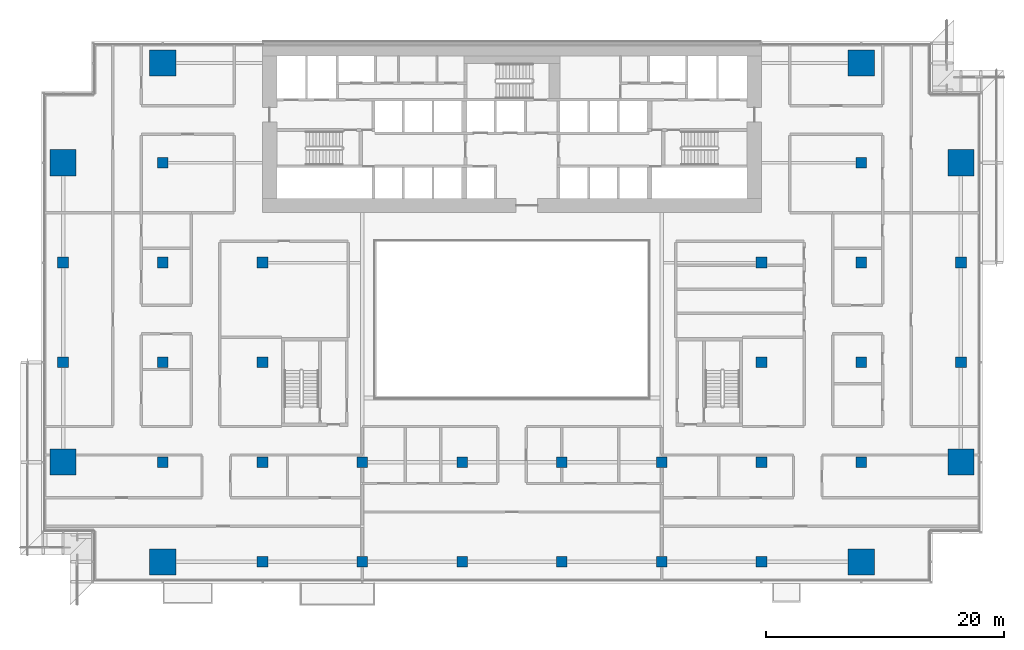
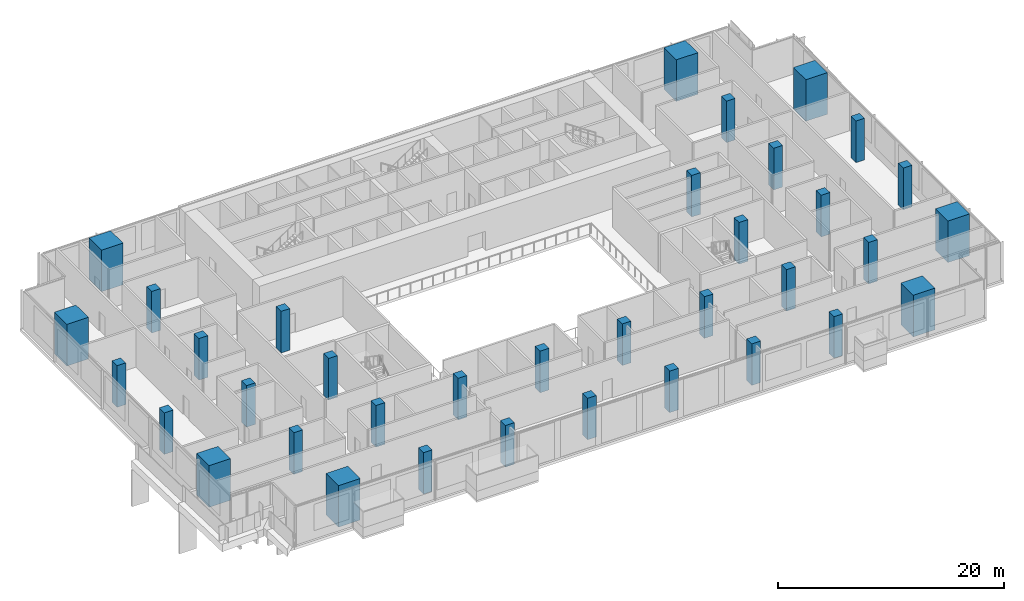
# One storey, part 1 of 23: 36 columns.
"""IFC4 building model written with IfcOpenShell, lengths in metres."""

from ifc_helpers import new_model, si_unit, direction, frame, origin, origin_2d, place, context, subcontext, project, spatial, rectangle, extrude, material, material_profile, profile_set, type_object, element, save


model = new_model("IFC4")

# Units and contexts
model_context = context("Model", 3, precision=1e-05, world=origin(), true_north=direction((0.0, 1.0)))
body_context = subcontext(model_context, "Body", "Model", "MODEL_VIEW")
ifc_project = project(units=[si_unit("LENGTHUNIT", "METRE"), si_unit("AREAUNIT", "SQUARE_METRE"), si_unit("VOLUMEUNIT", "CUBIC_METRE"), si_unit("PLANEANGLEUNIT", "RADIAN"), si_unit("MASSUNIT", "GRAM", prefix="KILO")], contexts=[model_context])

# Site, building, storey
site_placement = place(None, origin())
site = spatial("IfcSite", under=ifc_project, at=site_placement, CompositionType="ELEMENT")
building_placement = place(site_placement, origin())
building = spatial("IfcBuilding", under=site, at=building_placement, Name="Saffron Gate Tower", CompositionType="ELEMENT")
storey_placement = place(building_placement, frame((0.0, 0.0, 32.699951171875)))
storey = spatial("IfcBuildingStorey", under=building, at=storey_placement, Name="L06", CompositionType="ELEMENT", Elevation=32.699951171875)

# Columns
ifc_material_1 = material(Name="Concrete C60", Category="concrete")
ifc_material_profile_1 = material_profile(ifc_material_1, rectangle(XDim=0.89990234375, YDim=0.89990234375, at=origin_2d()))
ifc_profile_set_1 = profile_set([ifc_material_profile_1], Name="Concrete C60")
column_type_1 = type_object("IfcColumnType", Name="C6 RC 900x900 CONCRETE C60", PredefinedType="COLUMN", material=ifc_profile_set_1)
for number, where, z_axis, x_axis, name in (
    (1, (49.800048828125, 48.60009765625, 0.0), (0.0, 0.0, 1.0), (1.0, 0.0, 0.0), "C6 COLUMN X1-C"),
    (2, (49.800048828125, 57.0, 0.0), (0.0, 0.0, 1.0), (1.0, 0.0, 0.0), "C6 COLUMN X1-D"),
    (3, (58.199951171875, 40.199951171875, 0.0), (0.0, 0.0, 1.0), (1.0, 0.0, 0.0), "C6 COLUMN X2-B"),
    (4, (58.199951171875, 48.60009765625, 0.0), (0.0, 0.0, 1.0), (1.0, 0.0, 0.0), "C6 COLUMN X2-C"),
    (5, (58.199951171875, 57.0, 0.0), (0.0, 0.0, 1.0), (1.0, 0.0, 0.0), "C6 COLUMN X2-D"),
    (6, (58.199951171875, 65.39990234375, 0.0), (0.0, 0.0, 1.0), (1.0, 0.0, 0.0), "C6 COLUMN X2-E"),
    (7, (66.60009765625, 31.800048828125, 0.0), (0.0, 0.0, 1.0), (1.0, 0.0, 0.0), "C6 COLUMN X3-A"),
    (8, (66.60009765625, 40.199951171875, 0.0), (0.0, 0.0, 1.0), (1.0, 0.0, 0.0), "C6 COLUMN X3-B"),
    (9, (66.60009765625, 48.60009765625, 0.0), (0.0, 0.0, 1.0), (1.0, 0.0, 0.0), "C6 COLUMN X3-C"),
    (10, (66.60009765625, 57.0, 0.0), (0.0, 0.0, 1.0), (1.0, 0.0, 0.0), "C6 COLUMN X3-D"),
    (11, (75.0, 31.800048828125, 0.0), (0.0, 0.0, 1.0), (1.0, 0.0, 0.0), "C6 COLUMN X4-A"),
    (12, (75.0, 40.199951171875, 0.0), (0.0, 0.0, 1.0), (1.0, 0.0, 0.0), "C6 COLUMN X4-B"),
    (13, (83.39990234375, 31.800048828125, 0.0), (0.0, 0.0, 1.0), (1.0, 0.0, 0.0), "C6 COLUMN X5-A"),
    (14, (83.39990234375, 40.199951171875, 0.0), (0.0, 0.0, 1.0), (1.0, 0.0, 0.0), "C6 COLUMN X5-B"),
    (15, (91.800048828125, 31.800048828125, 0.0), (0.0, 0.0, 1.0), (1.0, 0.0, 0.0), "C6 COLUMN X6-A"),
    (16, (91.800048828125, 40.199951171875, 0.0), (0.0, 0.0, 1.0), (1.0, 0.0, 0.0), "C6 COLUMN X6-B"),
    (17, (100.199951171875, 31.800048828125, 0.0), (0.0, 0.0, 1.0), (1.0, 0.0, 0.0), "C6 COLUMN X7-A"),
    (18, (100.199951171875, 40.199951171875, 0.0), (0.0, 0.0, 1.0), (1.0, 0.0, 0.0), "C6 COLUMN X7-B"),
    (19, (108.60009765625, 31.800048828125, 0.0), (0.0, 0.0, 1.0), (1.0, 0.0, 0.0), "C6 COLUMN X8-A"),
    (20, (108.60009765625, 40.199951171875, 0.0), (0.0, 0.0, 1.0), (1.0, 0.0, 0.0), "C6 COLUMN X8-B"),
    (21, (108.60009765625, 48.60009765625, 0.0), (0.0, 0.0, 1.0), (1.0, 0.0, 0.0), "C6 COLUMN X8-C"),
    (22, (108.60009765625, 57.0, 0.0), (0.0, 0.0, 1.0), (1.0, 0.0, 0.0), "C6 COLUMN X8-D"),
    (23, (117.0, 40.199951171875, 0.0), (0.0, 0.0, 1.0), (1.0, 0.0, 0.0), "C6 COLUMN X9-B"),
    (24, (117.0, 48.60009765625, 0.0), (0.0, 0.0, 1.0), (1.0, 0.0, 0.0), "C6 COLUMN X9-C"),
    (25, (117.0, 57.0, 0.0), (0.0, 0.0, 1.0), (1.0, 0.0, 0.0), "C6 COLUMN X9-D"),
    (26, (117.0, 65.39990234375, 0.0), (0.0, 0.0, 1.0), (1.0, 0.0, 0.0), "C6 COLUMN X9-E"),
    (27, (125.39990234375, 48.60009765625, 0.0), (0.0, 0.0, 1.0), (1.0, 0.0, 0.0), "C6 COLUMN X10-C"),
    (28, (125.39990234375, 57.0, 0.0), (0.0, 0.0, 1.0), (1.0, 0.0, 0.0), "C6 COLUMN X10-D"),
):
    element("IfcColumn", number, at=place(storey_placement, frame(where, z_axis=z_axis, x_axis=x_axis)), inside=storey, type_object=column_type_1, Name=name, PredefinedType="COLUMN", context=body_context, shape_type="SweptSolid", body=[
        extrude(rectangle(XDim=0.89990234375, YDim=0.89990234375, at=origin_2d()), origin(), (0.0, 0.0, 1.0), 4.5),
    ])
ifc_material_2 = material(Name="Concrete C80", Category="concrete")
ifc_material_profile_2 = material_profile(ifc_material_2, rectangle(XDim=2.199951171875, YDim=2.199951171875, at=origin_2d()))
ifc_profile_set_2 = profile_set([ifc_material_profile_2], Name="Concrete C80")
column_type_2 = type_object("IfcColumnType", Name="MC4 RC 2200x2200 CONCRETE C80", PredefinedType="COLUMN", material=ifc_profile_set_2)
for number, where, z_axis, x_axis, name in (
    (29, (49.800048828125, 40.199951171875, 0.0), (0.0, 0.0, 1.0), (1.0, 0.0, 0.0), "MC4 MEGA COLUMN X1-B"),
    (30, (49.800048828125, 65.39990234375, 0.0), (0.0, 0.0, 1.0), (1.0, 0.0, 0.0), "MC4 MEGA COLUMN X1-E"),
    (31, (58.199951171875, 31.800048828125, 0.0), (0.0, 0.0, 1.0), (1.0, 0.0, 0.0), "MC4 MEGA COLUMN X2-A"),
    (32, (58.199951171875, 73.800048828125, 0.0), (0.0, 0.0, 1.0), (1.0, 0.0, 0.0), "MC4 MEGA COLUMN X2-F"),
    (33, (117.0, 31.800048828125, 0.0), (0.0, 0.0, 1.0), (1.0, 0.0, 0.0), "MC4 MEGA COLUMN X9-A"),
    (34, (117.0, 73.800048828125, 0.0), (0.0, 0.0, 1.0), (1.0, 0.0, 0.0), "MC4 MEGA COLUMN X9-F"),
    (35, (125.39990234375, 40.199951171875, 0.0), (0.0, 0.0, 1.0), (1.0, 0.0, 0.0), "MC4 MEGA COLUMN X10-B"),
    (36, (125.39990234375, 65.39990234375, 0.0), (0.0, 0.0, 1.0), (1.0, 0.0, 0.0), "MC4 MEGA COLUMN X10-E"),
):
    element("IfcColumn", number, at=place(storey_placement, frame(where, z_axis=z_axis, x_axis=x_axis)), inside=storey, type_object=column_type_2, Name=name, PredefinedType="COLUMN", context=body_context, shape_type="SweptSolid", body=[
        extrude(rectangle(XDim=2.199951171875, YDim=2.199951171875, at=origin_2d()), origin(), (0.0, 0.0, 1.0), 4.5),
    ])

save(model, "model.ifc")
